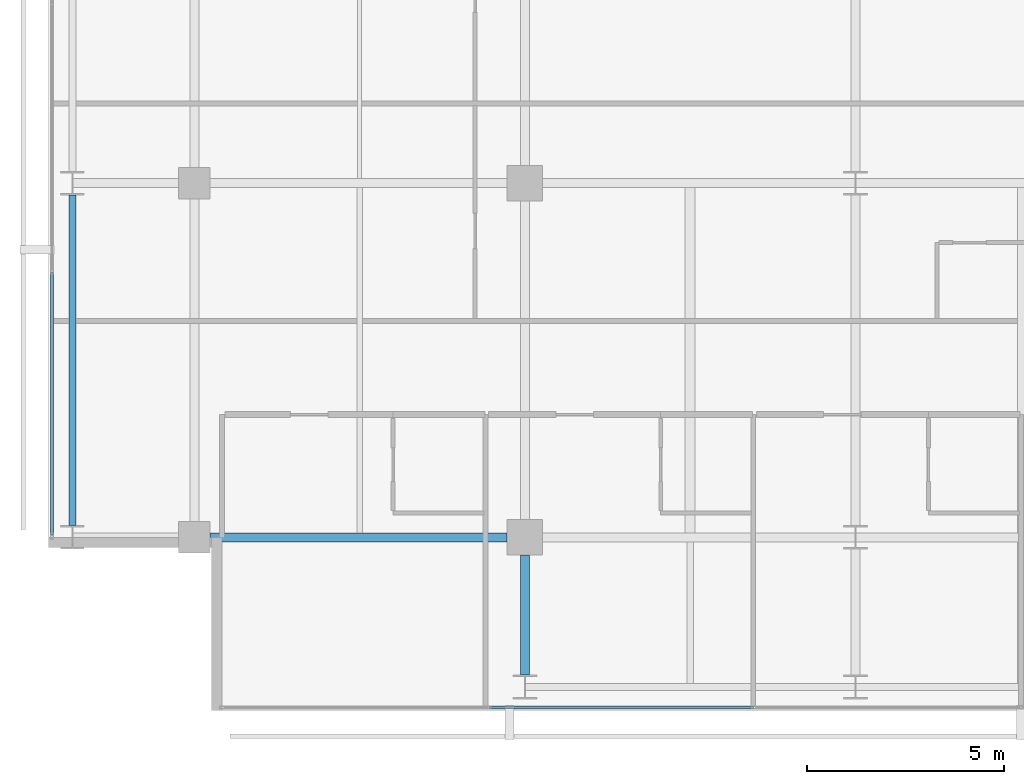
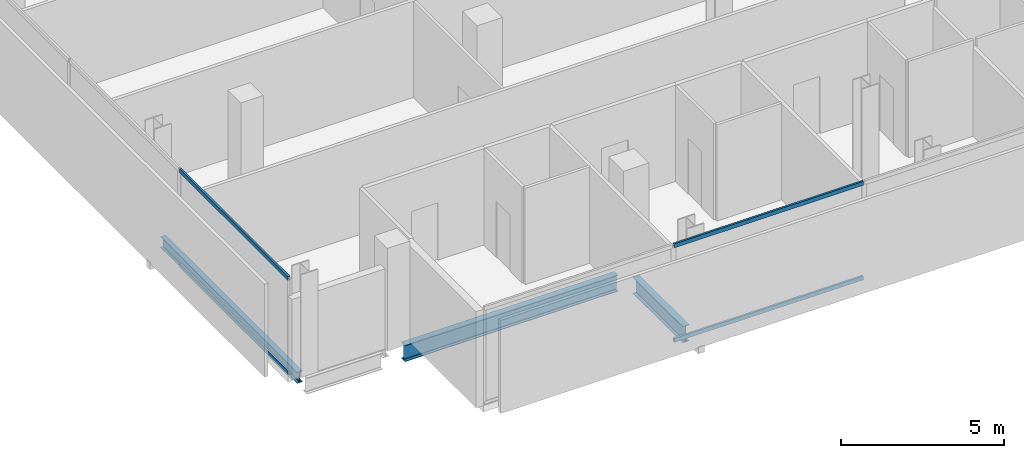
# One storey, part 3 of 33: 4 members, 3 beams, 2 elements without a shape of their own.
"""IFC4 building model written with IfcOpenShell, lengths in metres."""

from ifc_helpers import new_model, si_unit, direction, frame, origin, origin_2d, place, context, subcontext, project, spatial, hollow_rectangle, i_section, extrude, material, layer, layer_set, material_profile, profile_set, type_object, element, aggregate, save


model = new_model("IFC4")

# Units and contexts
model_context = context("Model", 3, precision=1e-05, world=origin(), true_north=direction((0.0, 1.0)))
body_context = subcontext(model_context, "Body", "Model", "MODEL_VIEW")
ifc_project = project(units=[si_unit("LENGTHUNIT", "METRE"), si_unit("AREAUNIT", "SQUARE_METRE"), si_unit("VOLUMEUNIT", "CUBIC_METRE"), si_unit("PLANEANGLEUNIT", "RADIAN"), si_unit("MASSUNIT", "GRAM", prefix="KILO")], contexts=[model_context])

# Site, building, storey
site_placement = place(None, origin())
site = spatial("IfcSite", under=ifc_project, at=site_placement, CompositionType="ELEMENT")
building_placement = place(site_placement, origin())
building = spatial("IfcBuilding", under=site, at=building_placement, Name="Maruvema Waterfront Hotel and Observation Tower", CompositionType="ELEMENT")
storey_placement = place(building_placement, frame((0.0, 0.0, 154.35009765625)))
storey = spatial("IfcBuildingStorey", under=building, at=storey_placement, Name="L37", CompositionType="ELEMENT", Elevation=154.35009765625)

# Curtain wall, members
ifc_material_1 = material(Name="Anodised bronze aluminium and solar-control low-E IGU", Category="aluminium")
ifc_layer = layer(ifc_material_1, 0.159912109375, Name="Zone 2 Amber Inner Thermal Curtain Wall System CW-03")
ifc_layer_set = layer_set([ifc_layer], Name="Anodised bronze aluminium and solar-control low-E IGU")
curtain_wall_type = type_object("IfcCurtainWallType", Name="Zone 2 Amber Inner Thermal Curtain Wall System CW-03", PredefinedType="USERDEFINED", material=ifc_layer_set)
curtain_wall_1_placement = place(storey_placement, origin())
curtain_wall_1 = element("IfcCurtainWall", 1, at=curtain_wall_1_placement, inside=storey, type_object=curtain_wall_type, Name="L37 Curtain Wall CW-L37-S", ObjectType="UNITISED CURTAIN WALL", PredefinedType="USERDEFINED")
ifc_material_2 = material(Name="Anodised architectural bronze aluminium", Category="aluminium")
ifc_material_profile_1 = material_profile(ifc_material_2, hollow_rectangle(XDim=0.070068359375, YDim=0.14990234375, WallThickness=0.00390625, at=origin_2d()), Name="ALU-T70x150")
ifc_profile_set_1 = profile_set([ifc_material_profile_1], Name="Anodised architectural bronze aluminium")
member_type = type_object("IfcMemberType", Name="Curtain Wall Horizontal Transom ALU-T70x150", PredefinedType="USERDEFINED", material=ifc_profile_set_1)
member_1_placement = place(storey_placement, frame((24.296630859375, 4.679931640625, 0.02978515625), z_axis=(1.0, 0.0, 0.0), x_axis=(0.0, 1.0, 0.0)))
member_1 = element("IfcMember", 2, at=member_1_placement, type_object=member_type, Name="CW-03 transom 2.1", ObjectType="TRANSOM", PredefinedType="USERDEFINED", context=body_context, shape_type="SweptSolid", body=[
    extrude(hollow_rectangle(XDim=0.070068359375, YDim=0.14990234375, WallThickness=0.00390625, at=origin_2d()), origin(), (0.0, 0.0, 1.0), 6.706787109375),
])
member_2_placement = place(storey_placement, frame((24.296630859375, 4.679931640625, 3.579833984375), z_axis=(1.0, 0.0, 0.0), x_axis=(0.0, 1.0, 0.0)))
member_2 = element("IfcMember", 3, at=member_2_placement, type_object=member_type, Name="CW-03 transom 2.2", ObjectType="TRANSOM", PredefinedType="USERDEFINED", context=body_context, shape_type="SweptSolid", body=[
    extrude(hollow_rectangle(XDim=0.070068359375, YDim=0.14990234375, WallThickness=0.00390625, at=origin_2d()), origin(), (0.0, 0.0, 1.0), 6.706787109375),
])
aggregate(curtain_wall_1, [member_1, member_2])

curtain_wall_2_placement = place(storey_placement, origin())
curtain_wall_2 = element("IfcCurtainWall", 4, at=curtain_wall_2_placement, inside=storey, type_object=curtain_wall_type, Name="L37 Curtain Wall CW-L37-W", ObjectType="UNITISED CURTAIN WALL", PredefinedType="USERDEFINED")
member_3_placement = place(storey_placement, frame((13.179931640625, 15.736572265625, 0.02978515625), z_axis=(0.0, -1.0, 0.0), x_axis=(1.0, 0.0, 0.0)))
member_3 = element("IfcMember", 5, at=member_3_placement, type_object=member_type, Name="CW-03 transom 6.1", ObjectType="TRANSOM", PredefinedType="USERDEFINED", context=body_context, shape_type="SweptSolid", body=[
    extrude(hollow_rectangle(XDim=0.070068359375, YDim=0.14990234375, WallThickness=0.00390625, at=origin_2d()), origin(), (0.0, 0.0, 1.0), 6.676513671875),
])
member_4_placement = place(storey_placement, frame((13.179931640625, 15.736572265625, 3.579833984375), z_axis=(0.0, -1.0, 0.0), x_axis=(1.0, 0.0, 0.0)))
member_4 = element("IfcMember", 6, at=member_4_placement, type_object=member_type, Name="CW-03 transom 6.2", ObjectType="TRANSOM", PredefinedType="USERDEFINED", context=body_context, shape_type="SweptSolid", body=[
    extrude(hollow_rectangle(XDim=0.070068359375, YDim=0.14990234375, WallThickness=0.00390625, at=origin_2d()), origin(), (0.0, 0.0, 1.0), 6.676513671875),
])
aggregate(curtain_wall_2, [member_3, member_4])

# Beams
ifc_material_3 = material(Name="Steel ASTM A572 Grade 50", Category="steel")
ifc_material_profile_2 = material_profile(ifc_material_3, i_section(OverallWidth=0.180908203125, OverallDepth=0.4169921875, WebThickness=0.010986328125, FlangeThickness=0.018310546875, FilletRadius=0.014892578125, at=origin_2d()), Name="W410x85.0")
ifc_profile_set_2 = profile_set([ifc_material_profile_2], Name="Steel ASTM A572 Grade 50")
beam_type_1 = type_object("IfcBeamType", Name="Perimeter Spandrel Beam W410x85.0", PredefinedType="SPANDREL", material=ifc_profile_set_2)
beam_1_placement = place(storey_placement, frame((13.699951171875, 9.300048828125, -0.448486328125), z_axis=(0.0, 1.0, 0.0), x_axis=(-1.0, 0.0, 0.0)))
element("IfcBeam", 7, at=beam_1_placement, inside=storey, type_object=beam_type_1, Name="L37 Floor Girder NS-01", PredefinedType="SPANDREL", context=body_context, shape_type="SweptSolid", body=[
    extrude(i_section(OverallWidth=0.180908203125, OverallDepth=0.4169921875, WebThickness=0.010986328125, FlangeThickness=0.018310546875, FilletRadius=0.014892578125, at=origin_2d()), origin(), (0.0, 0.0, 1.0), 8.39990234375),
])
ifc_material_4 = material(Name="Steel ASTM A572 Grade 50", Category="steel")
ifc_material_profile_3 = material_profile(ifc_material_4, i_section(OverallWidth=0.22900390625, OverallDepth=0.612060546875, WebThickness=0.011962890625, FlangeThickness=0.01953125, FilletRadius=0.01806640625, at=origin_2d()), Name="W610x125.0")
ifc_profile_set_3 = profile_set([ifc_material_profile_3], Name="Steel ASTM A572 Grade 50")
beam_type_2 = type_object("IfcBeamType", Name="Primary Floor Girder W610x125.0", PredefinedType="BEAM", material=ifc_profile_set_3)
beam_2_placement = place(storey_placement, frame((17.199951171875, 9.0, -0.546142578125), z_axis=(1.0, 0.0, 0.0), x_axis=(0.0, 1.0, 0.0)))
element("IfcBeam", 8, at=beam_2_placement, inside=storey, type_object=beam_type_2, Name="L37 Floor Girder EW-05", PredefinedType="BEAM", context=body_context, shape_type="SweptSolid", body=[
    extrude(i_section(OverallWidth=0.22900390625, OverallDepth=0.612060546875, WebThickness=0.011962890625, FlangeThickness=0.01953125, FilletRadius=0.01806640625, at=origin_2d()), origin(), (0.0, 0.0, 1.0), 7.550048828125),
])
beam_3_placement = place(storey_placement, frame((25.199951171875, 5.5, -0.546142578125), z_axis=(0.0, 1.0, 0.0), x_axis=(-1.0, 0.0, 0.0)))
element("IfcBeam", 9, at=beam_3_placement, inside=storey, type_object=beam_type_2, Name="L37 Floor Girder NS-09", PredefinedType="BEAM", context=body_context, shape_type="SweptSolid", body=[
    extrude(i_section(OverallWidth=0.22900390625, OverallDepth=0.612060546875, WebThickness=0.011962890625, FlangeThickness=0.01953125, FilletRadius=0.01806640625, at=origin_2d()), origin(), (0.0, 0.0, 1.0), 3.050048828125),
])

save(model, "model.ifc")
